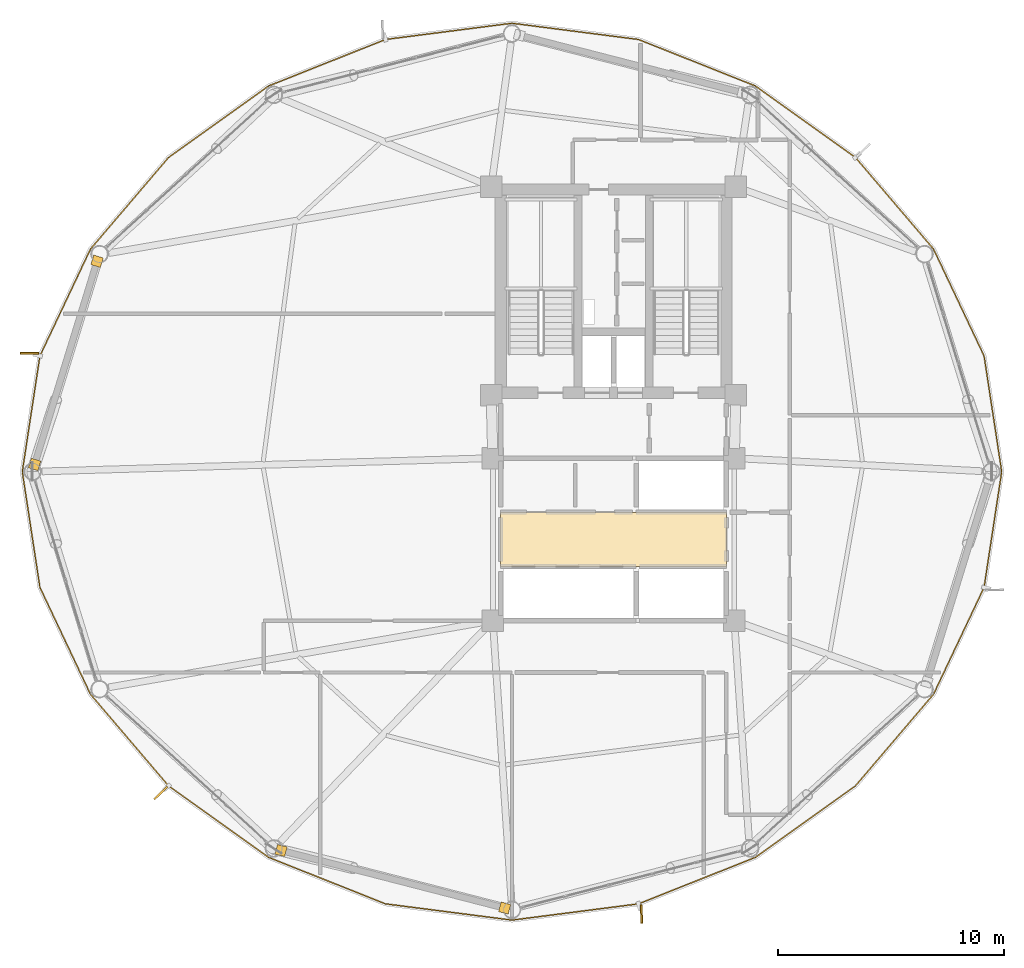
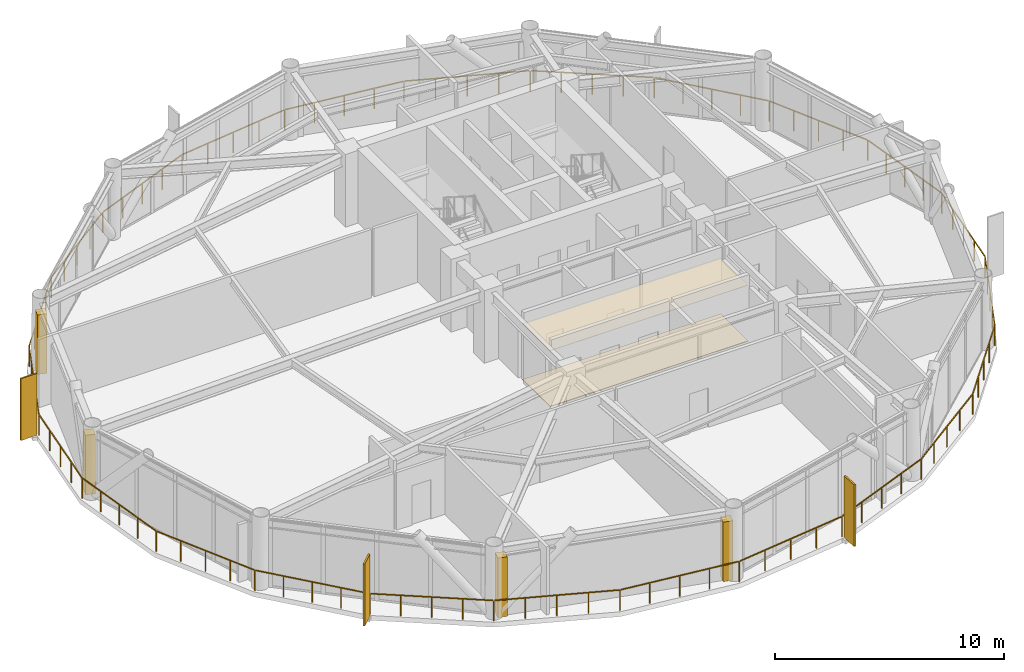
# One storey, part 23 of 25: 6 coverings, 3 shading devices, 1 railing.
"""IFC4 building model written with IfcOpenShell, lengths in metres."""

from ifc_helpers import new_model, si_unit, direction, frame, origin, origin_2d, place, context, subcontext, project, spatial, polyline, rectangle, outline, extrude, source, transform, mapped, material, layer, layer_set, type_object, type_shapes, element, save


model = new_model("IFC4")

# Units and contexts
model_context = context("Model", 3, precision=1e-05, world=origin(), true_north=direction((0.0, 1.0)))
body_context = subcontext(model_context, "Body", "Model", "MODEL_VIEW")
ifc_project = project(units=[si_unit("LENGTHUNIT", "METRE"), si_unit("AREAUNIT", "SQUARE_METRE"), si_unit("VOLUMEUNIT", "CUBIC_METRE"), si_unit("PLANEANGLEUNIT", "RADIAN"), si_unit("MASSUNIT", "GRAM", prefix="KILO")], contexts=[model_context])

# Site, building, storey
site_placement = place(None, origin())
site = spatial("IfcSite", under=ifc_project, at=site_placement, CompositionType="ELEMENT")
building_placement = place(site_placement, origin())
building = spatial("IfcBuilding", under=site, at=building_placement, Name="Varnakorn Sky Granary", CompositionType="ELEMENT")
storey_placement = place(building_placement, frame((0.0, 0.0, 122.699951171875)))
storey = spatial("IfcBuildingStorey", under=building, at=storey_placement, Name="L30", CompositionType="ELEMENT", Elevation=122.699951171875)

# Coverings
ifc_material_1 = material(Name="Perforated Acoustic Mineral-Fibre Ceiling", Category="gypsum")
ifc_layer_1 = layer(ifc_material_1, 0.02001953125, Name="Perforated Acoustic Mineral-Fibre Ceiling")
ifc_layer_set_1 = layer_set([ifc_layer_1], Name="Perforated Acoustic Mineral-Fibre Ceiling")
covering_type_1 = type_object("IfcCoveringType", Name="CV-CEIL-20", PredefinedType="CEILING", material=ifc_layer_set_1)
covering_1_placement = place(storey_placement, frame((0.0, 0.0, 2.989990234375)))
element("IfcCovering", 1, at=covering_1_placement, inside=storey, type_object=covering_type_1, Name="Lift Lobby Perforated Acoustic Ceiling L30", PredefinedType="CEILING", context=body_context, shape_type="SweptSolid", body=[
    extrude(outline(polyline([(-2.0, -4.199951171875), (8.0, -4.199951171875), (8.0, -1.800048828125), (-2.0, -1.800048828125), (-2.0, -4.199951171875)])), origin(), (0.0, 0.0, 1.0), 0.02001953125),
])
ifc_material_2 = material(Name="Honed Epoxy Terrazzo Topping", Category="concrete")
ifc_layer_2 = layer(ifc_material_2, 0.030029296875, Name="Honed Epoxy Terrazzo Topping")
ifc_layer_set_2 = layer_set([ifc_layer_2], Name="Honed Epoxy Terrazzo Topping")
covering_type_2 = type_object("IfcCoveringType", Name="CV-FLOR-30", PredefinedType="FLOORING", material=ifc_layer_set_2)
covering_2_placement = place(storey_placement, origin())
element("IfcCovering", 2, at=covering_2_placement, inside=storey, type_object=covering_type_2, Name="Lift Lobby Terrazzo Floor Finish L30", PredefinedType="FLOORING", context=body_context, shape_type="SweptSolid", body=[
    extrude(outline(polyline([(-2.0, -4.199951171875), (8.0, -4.199951171875), (8.0, -1.800048828125), (-2.0, -1.800048828125), (-2.0, -4.199951171875)])), origin(), (0.0, 0.0, 1.0), 0.030029296875),
])

# Railing
ifc_material_3 = material(Name="Anodised Bronze Aluminium Alloy 6063-T6", Category="aluminium")
railing_type = type_object("IfcRailingType", Name="RL-BAL-1120", PredefinedType="BALUSTRADE", material=ifc_material_3)
railing_placement = place(storey_placement, frame((20.19873046875, 0.0, 0.0)))
element("IfcRailing", 3, at=railing_placement, inside=storey, type_object=railing_type, Name="Perimeter Slab-Edge Safety Guard L30", PredefinedType="BALUSTRADE", context=body_context, shape_type="SweptSolid", body=[
    extrude(rectangle(XDim=0.048095703125, YDim=0.048095703125, at=origin_2d()), frame((-0.004150390625, -0.027587890625, 1.09619140625), z_axis=(-0.150713009646, -0.988577558274, 0.0), x_axis=(0.988577558274, -0.150713009646, 0.0)), (0.0, 0.0, 1.0), 5.130859375),
    extrude(rectangle(XDim=0.048095703125, YDim=0.048095703125, at=origin_2d()), frame((-0.793701171875, -5.153076171875, 1.09619140625), z_axis=(-0.427475195063, -0.904027077916, 0.0), x_axis=(0.904027077916, -0.427475195063, 0.0)), (0.0, 0.0, 1.0), 5.182373046875),
    extrude(rectangle(XDim=0.048095703125, YDim=0.048095703125, at=origin_2d()), frame((-3.0390625, -9.884521484375, 1.09619140625), z_axis=(-0.648725914551, -0.761022133575, 0.0), x_axis=(0.761022133575, -0.648725914551, 0.0)), (0.0, 0.0, 1.0), 5.27490234375),
    extrude(rectangle(XDim=0.048095703125, YDim=0.048095703125, at=origin_2d()), frame((-6.501953125, -13.9365234375, 1.09619140625), z_axis=(-0.813573068618, -0.581462691855, 0.0), x_axis=(0.581462691855, -0.813573068618, 0.0)), (0.0, 0.0, 1.0), 5.395751953125),
    extrude(rectangle(XDim=0.048095703125, YDim=0.048095703125, at=origin_2d()), frame((-10.940673828125, -17.100341796875, 1.09619140625), z_axis=(-0.929227052441, -0.369509248885, 0.0), x_axis=(0.369509248885, -0.929227052441, 0.0)), (0.0, 0.0, 1.0), 5.51708984375),
    extrude(rectangle(XDim=0.048095703125, YDim=0.048095703125, at=origin_2d()), frame((-16.12109375, -19.153076171875, 1.09619140625), z_axis=(-0.991835775307, -0.12752174254, 0.0), x_axis=(0.12752174254, -0.991835775307, 0.0)), (0.0, 0.0, 1.0), 5.595703125),
    extrude(rectangle(XDim=0.048095703125, YDim=0.048095703125, at=origin_2d()), frame((-21.7265625, -19.866455078125, 1.09619140625), z_axis=(-0.991835775307, 0.12752174254, 0.0), x_axis=(-0.12752174254, -0.991835775307, 0.0)), (0.0, 0.0, 1.0), 5.595703125),
    extrude(rectangle(XDim=0.048095703125, YDim=0.048095703125, at=origin_2d()), frame((-27.330322265625, -19.13916015625, 1.09619140625), z_axis=(-0.929227052441, 0.369509248885, 0.0), x_axis=(-0.369509248885, -0.929227052441, 0.0)), (0.0, 0.0, 1.0), 5.51708984375),
    extrude(rectangle(XDim=0.048095703125, YDim=0.048095703125, at=origin_2d()), frame((-32.505615234375, -17.07373046875, 1.09619140625), z_axis=(-0.813573068618, 0.581462691855, 0.0), x_axis=(-0.581462691855, -0.813573068618, 0.0)), (0.0, 0.0, 1.0), 5.395751953125),
    extrude(rectangle(XDim=0.048095703125, YDim=0.048095703125, at=origin_2d()), frame((-36.936279296875, -13.89892578125, 1.09619140625), z_axis=(-0.648725914551, 0.761022133575, 0.0), x_axis=(-0.761022133575, -0.648725914551, 0.0)), (0.0, 0.0, 1.0), 5.27490234375),
    extrude(rectangle(XDim=0.048095703125, YDim=0.048095703125, at=origin_2d()), frame((-40.388427734375, -9.837890625, 1.09619140625), z_axis=(-0.427475195063, 0.904027077916, 0.0), x_axis=(-0.904027077916, -0.427475195063, 0.0)), (0.0, 0.0, 1.0), 5.182373046875),
    extrude(rectangle(XDim=0.048095703125, YDim=0.048095703125, at=origin_2d()), frame((-42.619873046875, -5.10009765625, 1.09619140625), z_axis=(-0.150713009646, 0.988577558274, 0.0), x_axis=(-0.988577558274, -0.150713009646, 0.0)), (0.0, 0.0, 1.0), 5.130859375),
    extrude(rectangle(XDim=0.048095703125, YDim=0.048095703125, at=origin_2d()), frame((-43.393310546875, 0.027587890625, 1.09619140625), z_axis=(0.150713009646, 0.988577558274, 0.0), x_axis=(-0.988577558274, 0.150713009646, 0.0)), (0.0, 0.0, 1.0), 5.130859375),
    extrude(rectangle(XDim=0.048095703125, YDim=0.048095703125, at=origin_2d()), frame((-42.603759765625, 5.153076171875, 1.09619140625), z_axis=(0.427475195063, 0.904027077916, 0.0), x_axis=(-0.904027077916, 0.427475195063, 0.0)), (0.0, 0.0, 1.0), 5.182373046875),
    extrude(rectangle(XDim=0.048095703125, YDim=0.048095703125, at=origin_2d()), frame((-40.3583984375, 9.884521484375, 1.09619140625), z_axis=(0.648725914551, 0.761022133575, 0.0), x_axis=(-0.761022133575, 0.648725914551, 0.0)), (0.0, 0.0, 1.0), 5.27490234375),
    extrude(rectangle(XDim=0.048095703125, YDim=0.048095703125, at=origin_2d()), frame((-36.8955078125, 13.9365234375, 1.09619140625), z_axis=(0.813573068618, 0.581462691855, 0.0), x_axis=(-0.581462691855, 0.813573068618, 0.0)), (0.0, 0.0, 1.0), 5.395751953125),
    extrude(rectangle(XDim=0.048095703125, YDim=0.048095703125, at=origin_2d()), frame((-32.456787109375, 17.100341796875, 1.09619140625), z_axis=(0.929227052441, 0.369509248885, 0.0), x_axis=(-0.369509248885, 0.929227052441, 0.0)), (0.0, 0.0, 1.0), 5.51708984375),
    extrude(rectangle(XDim=0.048095703125, YDim=0.048095703125, at=origin_2d()), frame((-27.2763671875, 19.153076171875, 1.09619140625), z_axis=(0.991835775307, 0.12752174254, 0.0), x_axis=(-0.12752174254, 0.991835775307, 0.0)), (0.0, 0.0, 1.0), 5.595703125),
    extrude(rectangle(XDim=0.048095703125, YDim=0.048095703125, at=origin_2d()), frame((-21.6708984375, 19.866455078125, 1.09619140625), z_axis=(0.991835775307, -0.12752174254, 0.0), x_axis=(0.12752174254, 0.991835775307, 0.0)), (0.0, 0.0, 1.0), 5.595703125),
    extrude(rectangle(XDim=0.048095703125, YDim=0.048095703125, at=origin_2d()), frame((-16.067138671875, 19.13916015625, 1.09619140625), z_axis=(0.929227052441, -0.369509248885, 0.0), x_axis=(0.369509248885, 0.929227052441, 0.0)), (0.0, 0.0, 1.0), 5.51708984375),
    extrude(rectangle(XDim=0.048095703125, YDim=0.048095703125, at=origin_2d()), frame((-10.891845703125, 17.07373046875, 1.09619140625), z_axis=(0.813573068618, -0.581462691855, 0.0), x_axis=(0.581462691855, 0.813573068618, 0.0)), (0.0, 0.0, 1.0), 5.395751953125),
    extrude(rectangle(XDim=0.048095703125, YDim=0.048095703125, at=origin_2d()), frame((-6.461181640625, 13.89892578125, 1.09619140625), z_axis=(0.648725914551, -0.761022133575, 0.0), x_axis=(0.761022133575, 0.648725914551, 0.0)), (0.0, 0.0, 1.0), 5.27490234375),
    extrude(rectangle(XDim=0.048095703125, YDim=0.048095703125, at=origin_2d()), frame((-3.009033203125, 9.837890625, 1.09619140625), z_axis=(0.427475195063, -0.904027077916, 0.0), x_axis=(0.904027077916, 0.427475195063, 0.0)), (0.0, 0.0, 1.0), 5.182373046875),
    extrude(rectangle(XDim=0.048095703125, YDim=0.048095703125, at=origin_2d()), frame((-0.777587890625, 5.10009765625, 1.09619140625), z_axis=(0.150713009646, -0.988577558274, 0.0), x_axis=(0.988577558274, 0.150713009646, 0.0)), (0.0, 0.0, 1.0), 5.130859375),
    extrude(rectangle(XDim=0.0419921875, YDim=0.0419921875, at=origin_2d()), origin(), (0.0, 0.0, 1.0), 1.068115234375),
    extrude(rectangle(XDim=0.0419921875, YDim=0.0419921875, at=origin_2d()), frame((-0.1953125, -1.281982421875, 0.0)), (0.0, 0.0, 1.0), 1.068115234375),
    extrude(rectangle(XDim=0.0419921875, YDim=0.0419921875, at=origin_2d()), frame((-0.390869140625, -2.56396484375, 0.0)), (0.0, 0.0, 1.0), 1.068115234375),
    extrude(rectangle(XDim=0.0419921875, YDim=0.0419921875, at=origin_2d()), frame((-0.58642578125, -3.845703125, 0.0)), (0.0, 0.0, 1.0), 1.068115234375),
    extrude(rectangle(XDim=0.0419921875, YDim=0.0419921875, at=origin_2d()), frame((-0.78173828125, -5.127685546875, 0.0)), (0.0, 0.0, 1.0), 1.068115234375),
    extrude(rectangle(XDim=0.0419921875, YDim=0.0419921875, at=origin_2d()), frame((-1.341552734375, -6.3115234375, 0.0)), (0.0, 0.0, 1.0), 1.068115234375),
    extrude(rectangle(XDim=0.0419921875, YDim=0.0419921875, at=origin_2d()), frame((-1.9013671875, -7.49560546875, 0.0)), (0.0, 0.0, 1.0), 1.068115234375),
    extrude(rectangle(XDim=0.0419921875, YDim=0.0419921875, at=origin_2d()), frame((-2.461181640625, -8.679443359375, 0.0)), (0.0, 0.0, 1.0), 1.068115234375),
    extrude(rectangle(XDim=0.0419921875, YDim=0.0419921875, at=origin_2d()), frame((-3.02099609375, -9.86328125, 0.0)), (0.0, 0.0, 1.0), 1.068115234375),
    extrude(rectangle(XDim=0.0419921875, YDim=0.0419921875, at=origin_2d()), frame((-3.885498046875, -10.87744140625, 0.0)), (0.0, 0.0, 1.0), 1.068115234375),
    extrude(rectangle(XDim=0.0419921875, YDim=0.0419921875, at=origin_2d()), frame((-4.75, -11.8916015625, 0.0)), (0.0, 0.0, 1.0), 1.068115234375),
    extrude(rectangle(XDim=0.0419921875, YDim=0.0419921875, at=origin_2d()), frame((-5.61474609375, -12.906005859375, 0.0)), (0.0, 0.0, 1.0), 1.068115234375),
    extrude(rectangle(XDim=0.0419921875, YDim=0.0419921875, at=origin_2d()), frame((-6.479248046875, -13.920166015625, 0.0)), (0.0, 0.0, 1.0), 1.068115234375),
    extrude(rectangle(XDim=0.0419921875, YDim=0.0419921875, at=origin_2d()), frame((-7.588134765625, -14.712646484375, 0.0)), (0.0, 0.0, 1.0), 1.068115234375),
    extrude(rectangle(XDim=0.0419921875, YDim=0.0419921875, at=origin_2d()), frame((-8.69677734375, -15.505126953125, 0.0)), (0.0, 0.0, 1.0), 1.068115234375),
    extrude(rectangle(XDim=0.0419921875, YDim=0.0419921875, at=origin_2d()), frame((-9.8056640625, -16.297607421875, 0.0)), (0.0, 0.0, 1.0), 1.068115234375),
    extrude(rectangle(XDim=0.0419921875, YDim=0.0419921875, at=origin_2d()), frame((-10.91455078125, -17.090087890625, 0.0)), (0.0, 0.0, 1.0), 1.068115234375),
    extrude(rectangle(XDim=0.0419921875, YDim=0.0419921875, at=origin_2d()), frame((-12.209228515625, -17.60498046875, 0.0)), (0.0, 0.0, 1.0), 1.068115234375),
    extrude(rectangle(XDim=0.0419921875, YDim=0.0419921875, at=origin_2d()), frame((-13.50390625, -18.11962890625, 0.0)), (0.0, 0.0, 1.0), 1.068115234375),
    extrude(rectangle(XDim=0.0419921875, YDim=0.0419921875, at=origin_2d()), frame((-14.798583984375, -18.634521484375, 0.0)), (0.0, 0.0, 1.0), 1.068115234375),
    extrude(rectangle(XDim=0.0419921875, YDim=0.0419921875, at=origin_2d()), frame((-16.09326171875, -19.1494140625, 0.0)), (0.0, 0.0, 1.0), 1.068115234375),
    extrude(rectangle(XDim=0.0419921875, YDim=0.0419921875, at=origin_2d()), frame((-17.49462890625, -19.32958984375, 0.0)), (0.0, 0.0, 1.0), 1.068115234375),
    extrude(rectangle(XDim=0.0419921875, YDim=0.0419921875, at=origin_2d()), frame((-18.89599609375, -19.509765625, 0.0)), (0.0, 0.0, 1.0), 1.068115234375),
    extrude(rectangle(XDim=0.0419921875, YDim=0.0419921875, at=origin_2d()), frame((-20.29736328125, -19.68994140625, 0.0)), (0.0, 0.0, 1.0), 1.068115234375),
    extrude(rectangle(XDim=0.0419921875, YDim=0.0419921875, at=origin_2d()), frame((-21.69873046875, -19.8701171875, 0.0)), (0.0, 0.0, 1.0), 1.068115234375),
    extrude(rectangle(XDim=0.0419921875, YDim=0.0419921875, at=origin_2d()), frame((-23.10009765625, -19.68994140625, 0.0)), (0.0, 0.0, 1.0), 1.068115234375),
    extrude(rectangle(XDim=0.0419921875, YDim=0.0419921875, at=origin_2d()), frame((-24.50146484375, -19.509765625, 0.0)), (0.0, 0.0, 1.0), 1.068115234375),
    extrude(rectangle(XDim=0.0419921875, YDim=0.0419921875, at=origin_2d()), frame((-25.90283203125, -19.32958984375, 0.0)), (0.0, 0.0, 1.0), 1.068115234375),
    extrude(rectangle(XDim=0.0419921875, YDim=0.0419921875, at=origin_2d()), frame((-27.30419921875, -19.1494140625, 0.0)), (0.0, 0.0, 1.0), 1.068115234375),
    extrude(rectangle(XDim=0.0419921875, YDim=0.0419921875, at=origin_2d()), frame((-28.598876953125, -18.634521484375, 0.0)), (0.0, 0.0, 1.0), 1.068115234375),
    extrude(rectangle(XDim=0.0419921875, YDim=0.0419921875, at=origin_2d()), frame((-29.8935546875, -18.11962890625, 0.0)), (0.0, 0.0, 1.0), 1.068115234375),
    extrude(rectangle(XDim=0.0419921875, YDim=0.0419921875, at=origin_2d()), frame((-31.188232421875, -17.60498046875, 0.0)), (0.0, 0.0, 1.0), 1.068115234375),
    extrude(rectangle(XDim=0.0419921875, YDim=0.0419921875, at=origin_2d()), frame((-32.48291015625, -17.090087890625, 0.0)), (0.0, 0.0, 1.0), 1.068115234375),
    extrude(rectangle(XDim=0.0419921875, YDim=0.0419921875, at=origin_2d()), frame((-33.591796875, -16.297607421875, 0.0)), (0.0, 0.0, 1.0), 1.068115234375),
    extrude(rectangle(XDim=0.0419921875, YDim=0.0419921875, at=origin_2d()), frame((-34.70068359375, -15.505126953125, 0.0)), (0.0, 0.0, 1.0), 1.068115234375),
    extrude(rectangle(XDim=0.0419921875, YDim=0.0419921875, at=origin_2d()), frame((-35.809326171875, -14.712646484375, 0.0)), (0.0, 0.0, 1.0), 1.068115234375),
    extrude(rectangle(XDim=0.0419921875, YDim=0.0419921875, at=origin_2d()), frame((-36.918212890625, -13.920166015625, 0.0)), (0.0, 0.0, 1.0), 1.068115234375),
    extrude(rectangle(XDim=0.0419921875, YDim=0.0419921875, at=origin_2d()), frame((-37.78271484375, -12.906005859375, 0.0)), (0.0, 0.0, 1.0), 1.068115234375),
    extrude(rectangle(XDim=0.0419921875, YDim=0.0419921875, at=origin_2d()), frame((-38.6474609375, -11.8916015625, 0.0)), (0.0, 0.0, 1.0), 1.068115234375),
    extrude(rectangle(XDim=0.0419921875, YDim=0.0419921875, at=origin_2d()), frame((-39.511962890625, -10.87744140625, 0.0)), (0.0, 0.0, 1.0), 1.068115234375),
    extrude(rectangle(XDim=0.0419921875, YDim=0.0419921875, at=origin_2d()), frame((-40.37646484375, -9.86328125, 0.0)), (0.0, 0.0, 1.0), 1.068115234375),
    extrude(rectangle(XDim=0.0419921875, YDim=0.0419921875, at=origin_2d()), frame((-40.936279296875, -8.679443359375, 0.0)), (0.0, 0.0, 1.0), 1.068115234375),
    extrude(rectangle(XDim=0.0419921875, YDim=0.0419921875, at=origin_2d()), frame((-41.49609375, -7.49560546875, 0.0)), (0.0, 0.0, 1.0), 1.068115234375),
    extrude(rectangle(XDim=0.0419921875, YDim=0.0419921875, at=origin_2d()), frame((-42.055908203125, -6.3115234375, 0.0)), (0.0, 0.0, 1.0), 1.068115234375),
    extrude(rectangle(XDim=0.0419921875, YDim=0.0419921875, at=origin_2d()), frame((-42.61572265625, -5.127685546875, 0.0)), (0.0, 0.0, 1.0), 1.068115234375),
    extrude(rectangle(XDim=0.0419921875, YDim=0.0419921875, at=origin_2d()), frame((-42.81103515625, -3.845703125, 0.0)), (0.0, 0.0, 1.0), 1.068115234375),
    extrude(rectangle(XDim=0.0419921875, YDim=0.0419921875, at=origin_2d()), frame((-43.006591796875, -2.56396484375, 0.0)), (0.0, 0.0, 1.0), 1.068115234375),
    extrude(rectangle(XDim=0.0419921875, YDim=0.0419921875, at=origin_2d()), frame((-43.2021484375, -1.281982421875, 0.0)), (0.0, 0.0, 1.0), 1.068115234375),
    extrude(rectangle(XDim=0.0419921875, YDim=0.0419921875, at=origin_2d()), frame((-43.3974609375, 0.0, 0.0)), (0.0, 0.0, 1.0), 1.068115234375),
    extrude(rectangle(XDim=0.0419921875, YDim=0.0419921875, at=origin_2d()), frame((-43.2021484375, 1.281982421875, 0.0)), (0.0, 0.0, 1.0), 1.068115234375),
    extrude(rectangle(XDim=0.0419921875, YDim=0.0419921875, at=origin_2d()), frame((-43.006591796875, 2.56396484375, 0.0)), (0.0, 0.0, 1.0), 1.068115234375),
    extrude(rectangle(XDim=0.0419921875, YDim=0.0419921875, at=origin_2d()), frame((-42.81103515625, 3.845703125, 0.0)), (0.0, 0.0, 1.0), 1.068115234375),
    extrude(rectangle(XDim=0.0419921875, YDim=0.0419921875, at=origin_2d()), frame((-42.61572265625, 5.127685546875, 0.0)), (0.0, 0.0, 1.0), 1.068115234375),
    extrude(rectangle(XDim=0.0419921875, YDim=0.0419921875, at=origin_2d()), frame((-42.055908203125, 6.3115234375, 0.0)), (0.0, 0.0, 1.0), 1.068115234375),
    extrude(rectangle(XDim=0.0419921875, YDim=0.0419921875, at=origin_2d()), frame((-41.49609375, 7.49560546875, 0.0)), (0.0, 0.0, 1.0), 1.068115234375),
    extrude(rectangle(XDim=0.0419921875, YDim=0.0419921875, at=origin_2d()), frame((-40.936279296875, 8.679443359375, 0.0)), (0.0, 0.0, 1.0), 1.068115234375),
    extrude(rectangle(XDim=0.0419921875, YDim=0.0419921875, at=origin_2d()), frame((-40.37646484375, 9.86328125, 0.0)), (0.0, 0.0, 1.0), 1.068115234375),
    extrude(rectangle(XDim=0.0419921875, YDim=0.0419921875, at=origin_2d()), frame((-39.511962890625, 10.87744140625, 0.0)), (0.0, 0.0, 1.0), 1.068115234375),
    extrude(rectangle(XDim=0.0419921875, YDim=0.0419921875, at=origin_2d()), frame((-38.6474609375, 11.8916015625, 0.0)), (0.0, 0.0, 1.0), 1.068115234375),
    extrude(rectangle(XDim=0.0419921875, YDim=0.0419921875, at=origin_2d()), frame((-37.78271484375, 12.906005859375, 0.0)), (0.0, 0.0, 1.0), 1.068115234375),
    extrude(rectangle(XDim=0.0419921875, YDim=0.0419921875, at=origin_2d()), frame((-36.918212890625, 13.920166015625, 0.0)), (0.0, 0.0, 1.0), 1.068115234375),
    extrude(rectangle(XDim=0.0419921875, YDim=0.0419921875, at=origin_2d()), frame((-35.809326171875, 14.712646484375, 0.0)), (0.0, 0.0, 1.0), 1.068115234375),
    extrude(rectangle(XDim=0.0419921875, YDim=0.0419921875, at=origin_2d()), frame((-34.70068359375, 15.505126953125, 0.0)), (0.0, 0.0, 1.0), 1.068115234375),
    extrude(rectangle(XDim=0.0419921875, YDim=0.0419921875, at=origin_2d()), frame((-33.591796875, 16.297607421875, 0.0)), (0.0, 0.0, 1.0), 1.068115234375),
    extrude(rectangle(XDim=0.0419921875, YDim=0.0419921875, at=origin_2d()), frame((-32.48291015625, 17.090087890625, 0.0)), (0.0, 0.0, 1.0), 1.068115234375),
    extrude(rectangle(XDim=0.0419921875, YDim=0.0419921875, at=origin_2d()), frame((-31.188232421875, 17.60498046875, 0.0)), (0.0, 0.0, 1.0), 1.068115234375),
    extrude(rectangle(XDim=0.0419921875, YDim=0.0419921875, at=origin_2d()), frame((-29.8935546875, 18.11962890625, 0.0)), (0.0, 0.0, 1.0), 1.068115234375),
    extrude(rectangle(XDim=0.0419921875, YDim=0.0419921875, at=origin_2d()), frame((-28.598876953125, 18.634521484375, 0.0)), (0.0, 0.0, 1.0), 1.068115234375),
    extrude(rectangle(XDim=0.0419921875, YDim=0.0419921875, at=origin_2d()), frame((-27.30419921875, 19.1494140625, 0.0)), (0.0, 0.0, 1.0), 1.068115234375),
    extrude(rectangle(XDim=0.0419921875, YDim=0.0419921875, at=origin_2d()), frame((-25.90283203125, 19.32958984375, 0.0)), (0.0, 0.0, 1.0), 1.068115234375),
    extrude(rectangle(XDim=0.0419921875, YDim=0.0419921875, at=origin_2d()), frame((-24.50146484375, 19.509765625, 0.0)), (0.0, 0.0, 1.0), 1.068115234375),
    extrude(rectangle(XDim=0.0419921875, YDim=0.0419921875, at=origin_2d()), frame((-23.10009765625, 19.68994140625, 0.0)), (0.0, 0.0, 1.0), 1.068115234375),
    extrude(rectangle(XDim=0.0419921875, YDim=0.0419921875, at=origin_2d()), frame((-21.69873046875, 19.8701171875, 0.0)), (0.0, 0.0, 1.0), 1.068115234375),
    extrude(rectangle(XDim=0.0419921875, YDim=0.0419921875, at=origin_2d()), frame((-20.29736328125, 19.68994140625, 0.0)), (0.0, 0.0, 1.0), 1.068115234375),
    extrude(rectangle(XDim=0.0419921875, YDim=0.0419921875, at=origin_2d()), frame((-18.89599609375, 19.509765625, 0.0)), (0.0, 0.0, 1.0), 1.068115234375),
    extrude(rectangle(XDim=0.0419921875, YDim=0.0419921875, at=origin_2d()), frame((-17.49462890625, 19.32958984375, 0.0)), (0.0, 0.0, 1.0), 1.068115234375),
    extrude(rectangle(XDim=0.0419921875, YDim=0.0419921875, at=origin_2d()), frame((-16.09326171875, 19.1494140625, 0.0)), (0.0, 0.0, 1.0), 1.068115234375),
    extrude(rectangle(XDim=0.0419921875, YDim=0.0419921875, at=origin_2d()), frame((-14.798583984375, 18.634521484375, 0.0)), (0.0, 0.0, 1.0), 1.068115234375),
    extrude(rectangle(XDim=0.0419921875, YDim=0.0419921875, at=origin_2d()), frame((-13.50390625, 18.11962890625, 0.0)), (0.0, 0.0, 1.0), 1.068115234375),
    extrude(rectangle(XDim=0.0419921875, YDim=0.0419921875, at=origin_2d()), frame((-12.209228515625, 17.60498046875, 0.0)), (0.0, 0.0, 1.0), 1.068115234375),
    extrude(rectangle(XDim=0.0419921875, YDim=0.0419921875, at=origin_2d()), frame((-10.91455078125, 17.090087890625, 0.0)), (0.0, 0.0, 1.0), 1.068115234375),
    extrude(rectangle(XDim=0.0419921875, YDim=0.0419921875, at=origin_2d()), frame((-9.8056640625, 16.297607421875, 0.0)), (0.0, 0.0, 1.0), 1.068115234375),
    extrude(rectangle(XDim=0.0419921875, YDim=0.0419921875, at=origin_2d()), frame((-8.69677734375, 15.505126953125, 0.0)), (0.0, 0.0, 1.0), 1.068115234375),
    extrude(rectangle(XDim=0.0419921875, YDim=0.0419921875, at=origin_2d()), frame((-7.588134765625, 14.712646484375, 0.0)), (0.0, 0.0, 1.0), 1.068115234375),
    extrude(rectangle(XDim=0.0419921875, YDim=0.0419921875, at=origin_2d()), frame((-6.479248046875, 13.920166015625, 0.0)), (0.0, 0.0, 1.0), 1.068115234375),
    extrude(rectangle(XDim=0.0419921875, YDim=0.0419921875, at=origin_2d()), frame((-5.61474609375, 12.906005859375, 0.0)), (0.0, 0.0, 1.0), 1.068115234375),
    extrude(rectangle(XDim=0.0419921875, YDim=0.0419921875, at=origin_2d()), frame((-4.75, 11.8916015625, 0.0)), (0.0, 0.0, 1.0), 1.068115234375),
    extrude(rectangle(XDim=0.0419921875, YDim=0.0419921875, at=origin_2d()), frame((-3.885498046875, 10.87744140625, 0.0)), (0.0, 0.0, 1.0), 1.068115234375),
    extrude(rectangle(XDim=0.0419921875, YDim=0.0419921875, at=origin_2d()), frame((-3.02099609375, 9.86328125, 0.0)), (0.0, 0.0, 1.0), 1.068115234375),
    extrude(rectangle(XDim=0.0419921875, YDim=0.0419921875, at=origin_2d()), frame((-2.461181640625, 8.679443359375, 0.0)), (0.0, 0.0, 1.0), 1.068115234375),
    extrude(rectangle(XDim=0.0419921875, YDim=0.0419921875, at=origin_2d()), frame((-1.9013671875, 7.49560546875, 0.0)), (0.0, 0.0, 1.0), 1.068115234375),
    extrude(rectangle(XDim=0.0419921875, YDim=0.0419921875, at=origin_2d()), frame((-1.341552734375, 6.3115234375, 0.0)), (0.0, 0.0, 1.0), 1.068115234375),
    extrude(rectangle(XDim=0.0419921875, YDim=0.0419921875, at=origin_2d()), frame((-0.78173828125, 5.127685546875, 0.0)), (0.0, 0.0, 1.0), 1.068115234375),
    extrude(rectangle(XDim=0.0419921875, YDim=0.0419921875, at=origin_2d()), frame((-0.58642578125, 3.845703125, 0.0)), (0.0, 0.0, 1.0), 1.068115234375),
    extrude(rectangle(XDim=0.0419921875, YDim=0.0419921875, at=origin_2d()), frame((-0.390869140625, 2.56396484375, 0.0)), (0.0, 0.0, 1.0), 1.068115234375),
    extrude(rectangle(XDim=0.0419921875, YDim=0.0419921875, at=origin_2d()), frame((-0.1953125, 1.281982421875, 0.0)), (0.0, 0.0, 1.0), 1.068115234375),
])

# Shading devices
shading_device_type = type_object("IfcShadingDeviceType", Name="SH-FIN-02", PredefinedType="USERDEFINED", material=ifc_material_3)
shared_shape_1 = source(origin(), body_context, "Body", "SweptSolid", [
    extrude(rectangle(XDim=0.0849609375, YDim=0.820068359375, at=origin_2d()), origin(), (0.0, 0.0, 1.0), 3.300048828125),
])
type_shapes(shading_device_type, [shared_shape_1])
for number, where, z_axis, x_axis, name in (
    (4, (-22.873779296875, 5.242919921875, -0.0400390625), (0.0, 0.0, 1.0), (0.007005043545, -0.999975464381, 0.0), "Bronze Solar-Tracking Vertical Blade FIN L30-06"),
    (5, (-17.064208984375, -14.240234375, -0.0400390625), (0.0, 0.0, 1.0), (0.693088866396, -0.720852150776, 0.0), "Bronze Solar-Tracking Vertical Blade FIN L30-08"),
    (6, (4.2373046875, -19.601318359375, -0.0400390625), (0.0, 0.0, 1.0), (0.998772054633, 0.049541728712, 0.0), "Bronze Solar-Tracking Vertical Blade FIN L30-10"),
):
    element("IfcShadingDevice", number, at=place(storey_placement, frame(where, z_axis=z_axis, x_axis=x_axis)), inside=storey, type_object=shading_device_type, Name=name, ObjectType="FIN", PredefinedType="USERDEFINED", context=body_context, shape_type="MappedRepresentation", body=[
        mapped(shared_shape_1, transform((0.0, 0.0, 0.0), x_axis=(1.0, 0.0, 0.0), y_axis=(0.0, 1.0, 0.0), z_axis=(0.0, 0.0, 1.0), scale=1.0)),
    ])

# Coverings
ifc_layer_3 = layer(ifc_material_3, 0.050048828125, Name="Anodised Bronze Aluminium Alloy 6063-T6")
ifc_layer_set_3 = layer_set([ifc_layer_3], Name="Anodised Bronze Aluminium Alloy 6063-T6")
covering_type_3 = type_object("IfcCoveringType", Name="CV-CLAD-50", PredefinedType="CLADDING", material=ifc_layer_set_3)
shared_shape_2 = source(origin(), body_context, "Body", "SweptSolid", [
    extrude(rectangle(XDim=0.43994140625, YDim=0.43994140625, at=origin_2d()), origin(), (0.0, 0.0, 1.0), 3.179931640625),
])
type_shapes(covering_type_3, [shared_shape_2])
for number, where, z_axis, x_axis, name in (
    (7, (-22.6513671875, 0.3212890625, -0.02001953125), (0.0, 0.0, 1.0), (0.293873503404, 0.955844319959, 0.0), "Bronze Corner Pilaster Closure L30-P06-A"),
    (8, (-19.884765625, 9.32177734375, -0.02001953125), (0.0, 0.0, 1.0), (0.293873503404, 0.955844319959, 0.0), "Bronze Corner Pilaster Closure L30-P06-B"),
    (9, (-1.825439453125, -19.337158203125, -0.02001953125), (0.0, 0.0, 1.0), (-0.968409306811, 0.249366025115, 0.0), "Bronze Corner Pilaster Closure L30-P09-A"),
    (10, (-11.732177734375, -16.785888671875, -0.02001953125), (0.0, 0.0, 1.0), (-0.968409306811, 0.249366025115, 0.0), "Bronze Corner Pilaster Closure L30-P09-B"),
):
    element("IfcCovering", number, at=place(storey_placement, frame(where, z_axis=z_axis, x_axis=x_axis)), inside=storey, type_object=covering_type_3, Name=name, PredefinedType="CLADDING", context=body_context, shape_type="MappedRepresentation", body=[
        mapped(shared_shape_2, transform((0.0, 0.0, 0.0), x_axis=(1.0, 0.0, 0.0), y_axis=(0.0, 1.0, 0.0), z_axis=(0.0, 0.0, 1.0), scale=1.0)),
    ])

save(model, "model.ifc")
